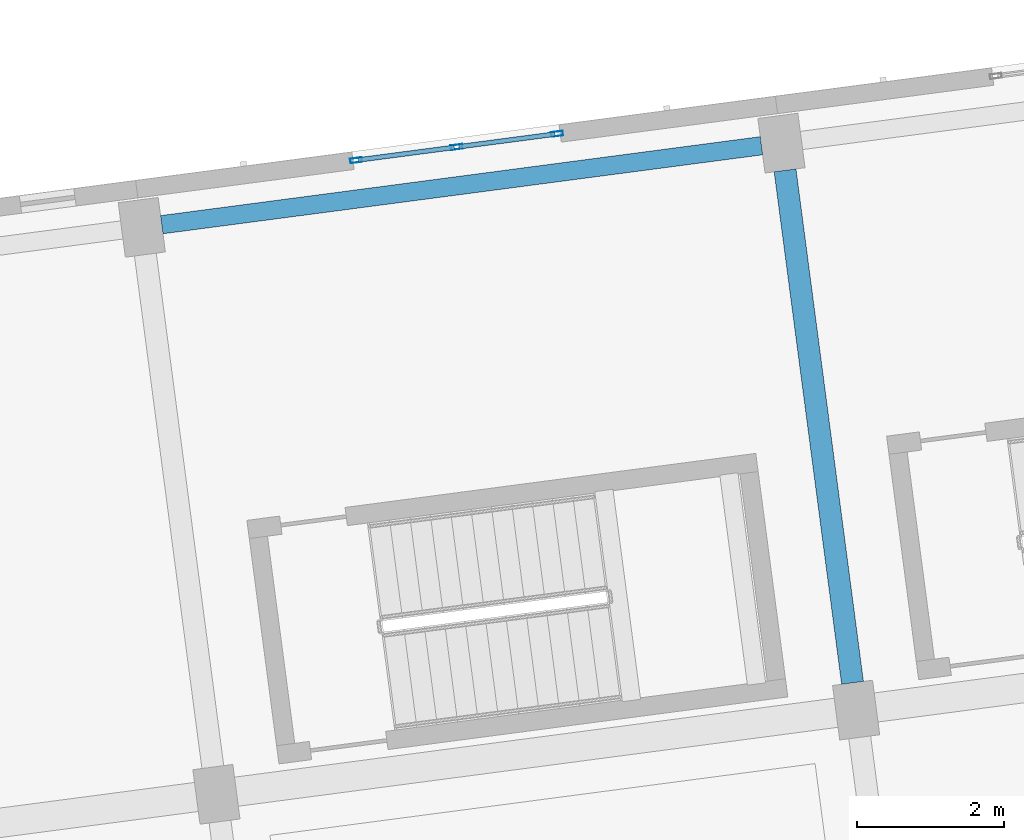
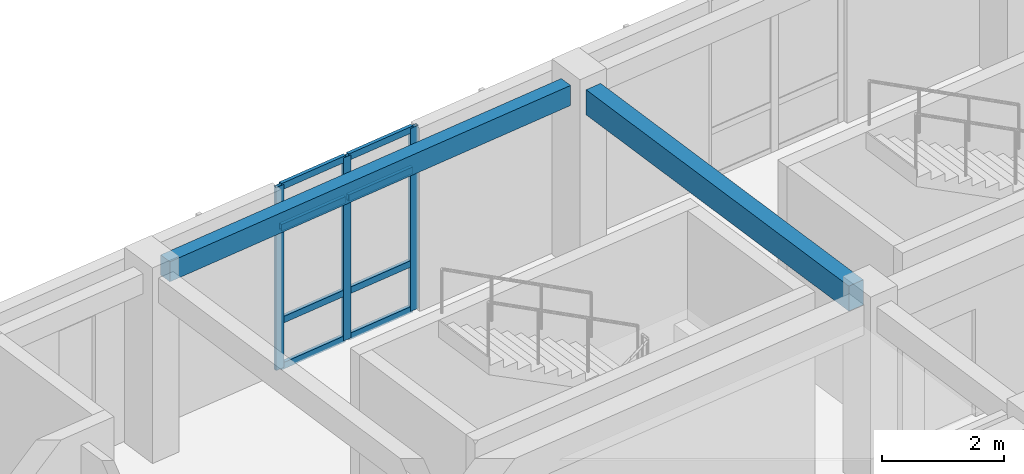
# One storey, part 38 of 150: 11 members, 2 beams, 1 element without a shape of its own.
"""IFC4 building model written with IfcOpenShell, lengths in metres."""

from ifc_helpers import new_model, si_unit, direction, frame, origin, origin_2d, place, context, subcontext, project, spatial, rectangle, hollow_rectangle, extrude, material, material_profile, profile_set, type_object, element, aggregate, save


model = new_model("IFC4")

# Units and contexts
model_context = context("Model", 3, precision=1e-05, world=origin(), true_north=direction((0.0, 1.0)))
body_context = subcontext(model_context, "Body", "Model", "MODEL_VIEW")
ifc_project = project(units=[si_unit("LENGTHUNIT", "METRE"), si_unit("AREAUNIT", "SQUARE_METRE"), si_unit("VOLUMEUNIT", "CUBIC_METRE"), si_unit("PLANEANGLEUNIT", "RADIAN"), si_unit("MASSUNIT", "GRAM", prefix="KILO")], contexts=[model_context])

# Site, building, storey
site_placement = place(None, origin())
site = spatial("IfcSite", under=ifc_project, at=site_placement, CompositionType="ELEMENT")
building_placement = place(site_placement, origin())
building = spatial("IfcBuilding", under=site, at=building_placement, Name="Kestramere Prow Commons", CompositionType="ELEMENT")
storey_placement = place(building_placement, frame((0.0, 0.0, 4.5)))
storey = spatial("IfcBuildingStorey", under=building, at=storey_placement, Name="L01", CompositionType="ELEMENT", Elevation=4.5)

# Beam
ifc_material_1 = material(Name="Precast concrete C40/50", Category="concrete")
ifc_material_profile_1 = material_profile(ifc_material_1, rectangle(XDim=0.300048828125, YDim=0.5, at=origin_2d()), Name="PC-BM 300x500")
ifc_profile_set_1 = profile_set([ifc_material_profile_1], Name="Precast concrete C40/50")
beam_type_1 = type_object("IfcBeamType", Name="BM-TIE-01 PC-BM 300x500", PredefinedType="BEAM", material=ifc_profile_set_1)
beam_1_placement = place(storey_placement, frame((27.008056640625, 86.7646484375, 3.39990234375), z_axis=(-0.130519009654, 0.99144580695, 0.0), x_axis=(-0.99144580695, -0.130519009654, 0.0)))
element("IfcBeam", 1, at=beam_1_placement, inside=storey, type_object=beam_type_1, Name="Block A L01 Transverse Beam 3-3", PredefinedType="BEAM", context=body_context, shape_type="SweptSolid", body=[
    extrude(rectangle(XDim=0.300048828125, YDim=0.5, at=origin_2d()), origin(), (0.0, 0.0, 1.0), 7.050048828125),
])

# Curtain wall, members
ifc_material_2 = material(Name="Anodised Aluminium and Low-E Glass", Category="aluminium")
curtain_wall_type = type_object("IfcCurtainWallType", Name="CW-02 Glazed Curtain Wall 2830x3650", PredefinedType="USERDEFINED", material=ifc_material_2)
curtain_wall_placement = place(storey_placement, origin())
curtain_wall = element("IfcCurtainWall", 2, at=curtain_wall_placement, inside=storey, type_object=curtain_wall_type, Name="Block A L01 Stairwell Vertical Glazing 2", ObjectType="GLAZED CURTAIN WALL", PredefinedType="USERDEFINED")
ifc_material_3 = material(Name="Anodised Aluminium 6063-T6", Category="aluminium")
ifc_material_profile_2 = material_profile(ifc_material_3, hollow_rectangle(XDim=0.06494140625, YDim=0.159912109375, WallThickness=0.00390625, at=origin_2d()), Name="ALU-MUL 65x160")
ifc_profile_set_2 = profile_set([ifc_material_profile_2], Name="Anodised Aluminium 6063-T6")
member_type_1 = type_object("IfcMemberType", Name="CW-MUL-65x160", PredefinedType="MULLION", material=ifc_profile_set_2)
member_1_placement = place(storey_placement, frame((20.2373046875, 93.891845703125, 0.0), z_axis=(0.0, 0.0, 1.0), x_axis=(-0.13052614723, 0.991444867297, 0.0)))
member_1 = element("IfcMember", 3, at=member_1_placement, type_object=member_type_1, Name="CW-02 mullion 1", PredefinedType="MULLION", context=body_context, shape_type="SweptSolid", body=[
    extrude(hollow_rectangle(XDim=0.06494140625, YDim=0.159912109375, WallThickness=0.00390625, at=origin_2d()), origin(), (0.0, 0.0, 1.0), 3.64990234375),
])
member_2_placement = place(storey_placement, frame((21.60791015625, 94.072265625, 0.0), z_axis=(0.0, 0.0, 1.0), x_axis=(-0.13052614723, 0.991444867297, 0.0)))
member_2 = element("IfcMember", 4, at=member_2_placement, type_object=member_type_1, Name="CW-02 mullion 2", PredefinedType="MULLION", context=body_context, shape_type="SweptSolid", body=[
    extrude(hollow_rectangle(XDim=0.06494140625, YDim=0.159912109375, WallThickness=0.00390625, at=origin_2d()), origin(), (0.0, 0.0, 1.0), 3.64990234375),
])
member_3_placement = place(storey_placement, frame((22.978759765625, 94.252685546875, 0.0), z_axis=(0.0, 0.0, 1.0), x_axis=(-0.13052614723, 0.991444867297, 0.0)))
member_3 = element("IfcMember", 5, at=member_3_placement, type_object=member_type_1, Name="CW-02 mullion 3", PredefinedType="MULLION", context=body_context, shape_type="SweptSolid", body=[
    extrude(hollow_rectangle(XDim=0.06494140625, YDim=0.159912109375, WallThickness=0.00390625, at=origin_2d()), origin(), (0.0, 0.0, 1.0), 3.64990234375),
])
ifc_material_profile_3 = material_profile(ifc_material_3, hollow_rectangle(XDim=0.06494140625, YDim=0.1298828125, WallThickness=0.00390625, at=origin_2d()), Name="ALU-TRN 65x130")
ifc_profile_set_3 = profile_set([ifc_material_profile_3], Name="Anodised Aluminium 6063-T6")
member_type_2 = type_object("IfcMemberType", Name="CW-TRN-65x130", PredefinedType="USERDEFINED", material=ifc_profile_set_3)
member_4_placement = place(storey_placement, frame((20.26953125, 93.896240234375, 0.032470703125), z_axis=(0.991453033969, 0.130464100171, 0.0), x_axis=(-0.130464100171, 0.991453033969, 0.0)))
member_4 = element("IfcMember", 6, at=member_4_placement, type_object=member_type_2, Name="CW-02 transom 1.1", ObjectType="TRANSOM", PredefinedType="USERDEFINED", context=body_context, shape_type="SweptSolid", body=[
    extrude(hollow_rectangle(XDim=0.06494140625, YDim=0.1298828125, WallThickness=0.00390625, at=origin_2d()), origin(), (0.0, 0.0, 1.0), 1.3173828125),
])
member_5_placement = place(storey_placement, frame((20.26953125, 93.896240234375, 0.949951171875), z_axis=(0.991453033969, 0.130464100171, 0.0), x_axis=(-0.130464100171, 0.991453033969, 0.0)))
member_5 = element("IfcMember", 7, at=member_5_placement, type_object=member_type_2, Name="CW-02 transom 1.2", ObjectType="TRANSOM", PredefinedType="USERDEFINED", context=body_context, shape_type="SweptSolid", body=[
    extrude(hollow_rectangle(XDim=0.06494140625, YDim=0.1298828125, WallThickness=0.00390625, at=origin_2d()), origin(), (0.0, 0.0, 1.0), 1.3173828125),
])
member_6_placement = place(storey_placement, frame((20.26953125, 93.896240234375, 2.800048828125), z_axis=(0.991453033969, 0.130464100171, 0.0), x_axis=(-0.130464100171, 0.991453033969, 0.0)))
member_6 = element("IfcMember", 8, at=member_6_placement, type_object=member_type_2, Name="CW-02 transom 1.3", ObjectType="TRANSOM", PredefinedType="USERDEFINED", context=body_context, shape_type="SweptSolid", body=[
    extrude(hollow_rectangle(XDim=0.06494140625, YDim=0.1298828125, WallThickness=0.00390625, at=origin_2d()), origin(), (0.0, 0.0, 1.0), 1.3173828125),
])
member_7_placement = place(storey_placement, frame((20.26953125, 93.896240234375, 3.617431640625), z_axis=(0.991453033969, 0.130464100171, 0.0), x_axis=(-0.130464100171, 0.991453033969, 0.0)))
member_7 = element("IfcMember", 9, at=member_7_placement, type_object=member_type_2, Name="CW-02 transom 1.4", ObjectType="TRANSOM", PredefinedType="USERDEFINED", context=body_context, shape_type="SweptSolid", body=[
    extrude(hollow_rectangle(XDim=0.06494140625, YDim=0.1298828125, WallThickness=0.00390625, at=origin_2d()), origin(), (0.0, 0.0, 1.0), 1.3173828125),
])
member_8_placement = place(storey_placement, frame((21.64013671875, 94.07666015625, 0.032470703125), z_axis=(0.991456187381, 0.130440133791, 0.0), x_axis=(-0.130440133791, 0.991456187381, 0.0)))
member_8 = element("IfcMember", 10, at=member_8_placement, type_object=member_type_2, Name="CW-02 transom 2.1", ObjectType="TRANSOM", PredefinedType="USERDEFINED", context=body_context, shape_type="SweptSolid", body=[
    extrude(hollow_rectangle(XDim=0.06494140625, YDim=0.1298828125, WallThickness=0.00390625, at=origin_2d()), origin(), (0.0, 0.0, 1.0), 1.317626953125),
])
member_9_placement = place(storey_placement, frame((21.64013671875, 94.07666015625, 0.949951171875), z_axis=(0.991456187381, 0.130440133791, 0.0), x_axis=(-0.130440133791, 0.991456187381, 0.0)))
member_9 = element("IfcMember", 11, at=member_9_placement, type_object=member_type_2, Name="CW-02 transom 2.2", ObjectType="TRANSOM", PredefinedType="USERDEFINED", context=body_context, shape_type="SweptSolid", body=[
    extrude(hollow_rectangle(XDim=0.06494140625, YDim=0.1298828125, WallThickness=0.00390625, at=origin_2d()), origin(), (0.0, 0.0, 1.0), 1.317626953125),
])
member_10_placement = place(storey_placement, frame((21.64013671875, 94.07666015625, 2.800048828125), z_axis=(0.991456187381, 0.130440133791, 0.0), x_axis=(-0.130440133791, 0.991456187381, 0.0)))
member_10 = element("IfcMember", 12, at=member_10_placement, type_object=member_type_2, Name="CW-02 transom 2.3", ObjectType="TRANSOM", PredefinedType="USERDEFINED", context=body_context, shape_type="SweptSolid", body=[
    extrude(hollow_rectangle(XDim=0.06494140625, YDim=0.1298828125, WallThickness=0.00390625, at=origin_2d()), origin(), (0.0, 0.0, 1.0), 1.317626953125),
])
member_11_placement = place(storey_placement, frame((21.64013671875, 94.07666015625, 3.617431640625), z_axis=(0.991456187381, 0.130440133791, 0.0), x_axis=(-0.130440133791, 0.991456187381, 0.0)))
member_11 = element("IfcMember", 13, at=member_11_placement, type_object=member_type_2, Name="CW-02 transom 2.4", ObjectType="TRANSOM", PredefinedType="USERDEFINED", context=body_context, shape_type="SweptSolid", body=[
    extrude(hollow_rectangle(XDim=0.06494140625, YDim=0.1298828125, WallThickness=0.00390625, at=origin_2d()), origin(), (0.0, 0.0, 1.0), 1.317626953125),
])
aggregate(curtain_wall, [member_1, member_2, member_3, member_4, member_5, member_6, member_7, member_8, member_9, member_10, member_11])

# Beam
ifc_material_profile_4 = material_profile(ifc_material_1, rectangle(XDim=0.25, YDim=0.39990234375, at=origin_2d()), Name="PC-SP 250x400")
ifc_profile_set_4 = profile_set([ifc_material_profile_4], Name="Precast concrete C40/50")
beam_type_2 = type_object("IfcBeamType", Name="SP-EXT-01 PC-SP 250x400", PredefinedType="SPANDREL", material=ifc_profile_set_4)
beam_2_placement = place(storey_placement, frame((17.5869140625, 93.013427734375, 3.449951171875), z_axis=(0.991443917843, 0.130533358852, 0.0), x_axis=(-0.130533358852, 0.991443917843, 0.0)))
element("IfcBeam", 14, at=beam_2_placement, inside=storey, type_object=beam_type_2, Name="Block A L01 Longitudinal Beam 4-2", PredefinedType="SPANDREL", context=body_context, shape_type="SweptSolid", body=[
    extrude(rectangle(XDim=0.25, YDim=0.39990234375, at=origin_2d()), origin(), (0.0, 0.0, 1.0), 8.25),
])

save(model, "model.ifc")
